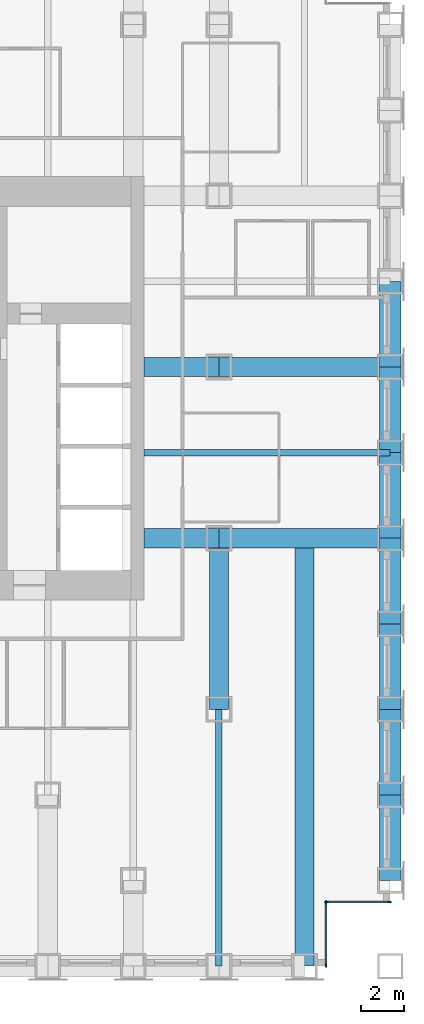
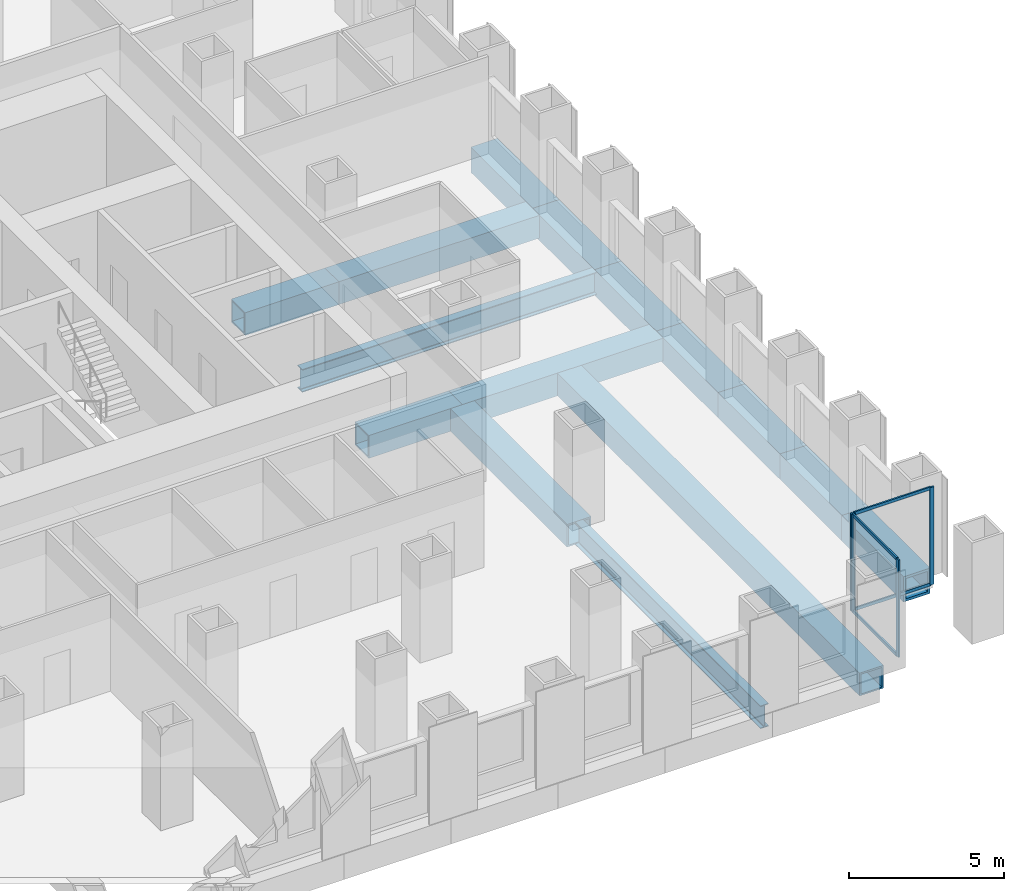
# One storey, part 4 of 14: 15 beams, 8 members, 2 elements without a shape of their own.
"""IFC4 building model written with IfcOpenShell, lengths in metres."""

from ifc_helpers import new_model, si_unit, direction, frame, origin, origin_2d, place, context, subcontext, project, spatial, rectangle, hollow_rectangle, i_section, extrude, material, material_profile, profile_set, type_object, element, aggregate, save


model = new_model("IFC4")

# Units and contexts
model_context = context("Model", 3, precision=1e-05, world=origin(), true_north=direction((0.0, 1.0)))
body_context = subcontext(model_context, "Body", "Model", "MODEL_VIEW")
ifc_project = project(units=[si_unit("LENGTHUNIT", "METRE"), si_unit("AREAUNIT", "SQUARE_METRE"), si_unit("VOLUMEUNIT", "CUBIC_METRE"), si_unit("PLANEANGLEUNIT", "RADIAN"), si_unit("MASSUNIT", "GRAM", prefix="KILO")], contexts=[model_context])

# Site, building, storey
site_placement = place(None, origin())
site = spatial("IfcSite", under=ifc_project, at=site_placement, CompositionType="ELEMENT")
building_placement = place(site_placement, origin())
building = spatial("IfcBuilding", under=site, at=building_placement, Name="Rimbunsela Tower", CompositionType="ELEMENT")
storey_placement = place(building_placement, frame((0.0, 0.0, 55.0)))
storey = spatial("IfcBuildingStorey", under=building, at=storey_placement, Name="L13", CompositionType="ELEMENT", Elevation=55.0)

# Beams
ifc_material_1 = material(Name="Steel BJ 55 (fy 410 MPa)", Category="steel")
ifc_material_profile_1 = material_profile(ifc_material_1, hollow_rectangle(XDim=1.0, YDim=1.0, WallThickness=0.10009765625, at=origin_2d()), Name="BOX 1000x1000x100")
ifc_profile_set_1 = profile_set([ifc_material_profile_1], Name="Steel BJ 55 (fy 410 MPa)")
beam_type_1 = type_object("IfcBeamType", Name="Beam BOX 1000x1000x100", PredefinedType="BEAM", material=ifc_profile_set_1)
for number, where, z_axis, x_axis, name in (
    (1, (54.0, 4.0, -0.64990234375), (0.0, 1.0, 0.0), (-1.0, 0.0, 0.0), "Beam B3 L13"),
    (2, (54.0, 8.0, -0.64990234375), (0.0, 1.0, 0.0), (-1.0, 0.0, 0.0), "Beam B3 L13"),
    (3, (54.0, 12.0, -0.64990234375), (0.0, 1.0, 0.0), (-1.0, 0.0, 0.0), "Beam B3 L13"),
    (4, (54.0, 16.0, -0.64990234375), (0.0, 1.0, 0.0), (-1.0, 0.0, 0.0), "Beam B3 L13"),
    (5, (54.0, 20.0, -0.64990234375), (0.0, 1.0, 0.0), (-1.0, 0.0, 0.0), "Beam B3 L13"),
    (6, (54.0, 24.0, -0.64990234375), (0.0, 1.0, 0.0), (-1.0, 0.0, 0.0), "Beam B3 L13"),
    (7, (54.0, 28.0, -0.64990234375), (0.0, 1.0, 0.0), (-1.0, 0.0, 0.0), "Beam B3 L13"),
):
    element("IfcBeam", number, at=place(storey_placement, frame(where, z_axis=z_axis, x_axis=x_axis)), inside=storey, type_object=beam_type_1, Name=name, PredefinedType="BEAM", context=body_context, shape_type="SweptSolid", body=[
        extrude(hollow_rectangle(XDim=1.0, YDim=1.0, WallThickness=0.10009765625, at=origin_2d()), origin(), (0.0, 0.0, 1.0), 4.0),
    ])
ifc_material_2 = material(Name="Steel BJ 55 (fy 410 MPa)", Category="steel")
ifc_material_profile_2 = material_profile(ifc_material_2, hollow_rectangle(XDim=0.89990234375, YDim=0.89990234375, WallThickness=0.06005859375, at=origin_2d()), Name="BOX 900x900x60")
ifc_profile_set_2 = profile_set([ifc_material_profile_2], Name="Steel BJ 55 (fy 410 MPa)")
beam_type_2 = type_object("IfcBeamType", Name="Beam BOX 900x900x60", PredefinedType="BEAM", material=ifc_profile_set_2)
for number, where, z_axis, x_axis, name in (
    (8, (42.5, 20.0, -0.60009765625), (1.0, 0.0, 0.0), (0.0, 1.0, 0.0), "Beam B1 L13"),
    (9, (42.5, 28.0, -0.60009765625), (1.0, 0.0, 0.0), (0.0, 1.0, 0.0), "Beam B1 L13"),
):
    element("IfcBeam", number, at=place(storey_placement, frame(where, z_axis=z_axis, x_axis=x_axis)), inside=storey, type_object=beam_type_2, Name=name, PredefinedType="BEAM", context=body_context, shape_type="SweptSolid", body=[
        extrude(hollow_rectangle(XDim=0.89990234375, YDim=0.89990234375, WallThickness=0.06005859375, at=origin_2d()), origin(), (0.0, 0.0, 1.0), 3.5),
    ])
for number, where, z_axis, x_axis, name in (
    (10, (46.0, 12.0, -0.60009765625), (0.0, 1.0, 0.0), (-1.0, 0.0, 0.0), "Beam B1 L13"),
    (11, (46.0, 20.0, -0.60009765625), (1.0, 0.0, 0.0), (0.0, 1.0, 0.0), "Beam B1 L13"),
    (12, (46.0, 28.0, -0.60009765625), (1.0, 0.0, 0.0), (0.0, 1.0, 0.0), "Beam B1 L13"),
):
    element("IfcBeam", number, at=place(storey_placement, frame(where, z_axis=z_axis, x_axis=x_axis)), inside=storey, type_object=beam_type_2, Name=name, PredefinedType="BEAM", context=body_context, shape_type="SweptSolid", body=[
        extrude(hollow_rectangle(XDim=0.89990234375, YDim=0.89990234375, WallThickness=0.06005859375, at=origin_2d()), origin(), (0.0, 0.0, 1.0), 8.0),
    ])
beam_1_placement = place(storey_placement, frame((50.0, 0.0, -0.60009765625), z_axis=(0.0, 1.0, 0.0), x_axis=(-1.0, 0.0, 0.0)))
element("IfcBeam", 13, at=beam_1_placement, inside=storey, type_object=beam_type_2, Name="Beam B1 L13", PredefinedType="BEAM", context=body_context, shape_type="SweptSolid", body=[
    extrude(hollow_rectangle(XDim=0.89990234375, YDim=0.89990234375, WallThickness=0.06005859375, at=origin_2d()), origin(), (0.0, 0.0, 1.0), 19.550048828125),
])
ifc_material_3 = material(Name="Steel BJ 55 (fy 410 MPa)", Category="steel")
ifc_material_profile_3 = material_profile(ifc_material_3, i_section(OverallWidth=0.300048828125, OverallDepth=0.89990234375, WebThickness=0.01611328125, FlangeThickness=0.028076171875, FilletRadius=0.028076171875, at=origin_2d()), Name="H 900x300x16x28")
ifc_profile_set_3 = profile_set([ifc_material_profile_3], Name="Steel BJ 55 (fy 410 MPa)")
beam_type_3 = type_object("IfcBeamType", Name="Beam H 900x300x16x28", PredefinedType="BEAM", material=ifc_profile_set_3)
beam_2_placement = place(storey_placement, frame((42.5, 24.0, -0.60009765625), z_axis=(1.0, 0.0, 0.0), x_axis=(0.0, 1.0, 0.0)))
element("IfcBeam", 14, at=beam_2_placement, inside=storey, type_object=beam_type_3, Name="Beam B2 L13", PredefinedType="BEAM", context=body_context, shape_type="SweptSolid", body=[
    extrude(i_section(OverallWidth=0.300048828125, OverallDepth=0.89990234375, WebThickness=0.01611328125, FlangeThickness=0.028076171875, FilletRadius=0.028076171875, at=origin_2d()), origin(), (0.0, 0.0, 1.0), 11.5),
])
beam_3_placement = place(storey_placement, frame((46.0, 0.0, -0.60009765625), z_axis=(0.0, 1.0, 0.0), x_axis=(-1.0, 0.0, 0.0)))
element("IfcBeam", 15, at=beam_3_placement, inside=storey, type_object=beam_type_3, Name="Beam B2 L13", PredefinedType="BEAM", context=body_context, shape_type="SweptSolid", body=[
    extrude(i_section(OverallWidth=0.300048828125, OverallDepth=0.89990234375, WebThickness=0.01611328125, FlangeThickness=0.028076171875, FilletRadius=0.028076171875, at=origin_2d()), origin(), (0.0, 0.0, 1.0), 12.0),
])

# Curtain wall, members
ifc_material_4 = material(Name="Aluminium curtain wall", Category="aluminium")
curtain_wall_type = type_object("IfcCurtainWallType", Name="Corner glazing", PredefinedType="USERDEFINED", material=ifc_material_4)
curtain_wall_1_placement = place(storey_placement, origin())
curtain_wall_1 = element("IfcCurtainWall", 16, at=curtain_wall_1_placement, inside=storey, type_object=curtain_wall_type, Name="Corner glazing L13", ObjectType="CORNER GLAZING", PredefinedType="USERDEFINED")
ifc_material_5 = material(Name="Aluminium mullion", Category="aluminium")
ifc_material_profile_4 = material_profile(ifc_material_5, rectangle(XDim=0.06005859375, YDim=0.159912109375, at=origin_2d()), Name="Mullion 60x160")
ifc_profile_set_4 = profile_set([ifc_material_profile_4], Name="Aluminium mullion")
member_type_1 = type_object("IfcMemberType", Name="Curtain wall mullion 60x160", PredefinedType="MULLION", material=ifc_profile_set_4)
member_1_placement = place(storey_placement, frame((51.0, 0.030029296875, 0.0), z_axis=(0.0, 0.0, 1.0), x_axis=(-1.0, 0.0, 0.0)))
member_1 = element("IfcMember", 17, at=member_1_placement, type_object=member_type_1, Name="CW5 mullion 1", PredefinedType="MULLION", context=body_context, shape_type="SweptSolid", body=[
    extrude(rectangle(XDim=0.06005859375, YDim=0.159912109375, at=origin_2d()), origin(), (0.0, 0.0, 1.0), 3.85009765625),
])
member_2_placement = place(storey_placement, frame((51.0, 2.969970703125, 0.0), z_axis=(0.0, 0.0, 1.0), x_axis=(-1.0, 0.0, 0.0)))
member_2 = element("IfcMember", 18, at=member_2_placement, type_object=member_type_1, Name="CW5 mullion 2", PredefinedType="MULLION", context=body_context, shape_type="SweptSolid", body=[
    extrude(rectangle(XDim=0.06005859375, YDim=0.159912109375, at=origin_2d()), origin(), (0.0, 0.0, 1.0), 3.85009765625),
])

curtain_wall_2_placement = place(storey_placement, origin())
curtain_wall_2 = element("IfcCurtainWall", 19, at=curtain_wall_2_placement, inside=storey, type_object=curtain_wall_type, Name="Corner glazing L13", ObjectType="CORNER GLAZING", PredefinedType="USERDEFINED")
member_3_placement = place(storey_placement, frame((51.030029296875, 3.0, 0.0), z_axis=(0.0, 0.0, 1.0), x_axis=(0.0, 1.0, 0.0)))
member_3 = element("IfcMember", 20, at=member_3_placement, type_object=member_type_1, Name="CW5 mullion 1", PredefinedType="MULLION", context=body_context, shape_type="SweptSolid", body=[
    extrude(rectangle(XDim=0.06005859375, YDim=0.159912109375, at=origin_2d()), origin(), (0.0, 0.0, 1.0), 3.85009765625),
])
member_4_placement = place(storey_placement, frame((53.969970703125, 3.0, 0.0), z_axis=(0.0, 0.0, 1.0), x_axis=(0.0, 1.0, 0.0)))
member_4 = element("IfcMember", 21, at=member_4_placement, type_object=member_type_1, Name="CW5 mullion 2", PredefinedType="MULLION", context=body_context, shape_type="SweptSolid", body=[
    extrude(rectangle(XDim=0.06005859375, YDim=0.159912109375, at=origin_2d()), origin(), (0.0, 0.0, 1.0), 3.85009765625),
])

# Member
ifc_material_6 = material(Name="Aluminium transom", Category="aluminium")
ifc_material_profile_5 = material_profile(ifc_material_6, rectangle(XDim=0.06005859375, YDim=0.1201171875, at=origin_2d()), Name="Transom 60x120")
ifc_profile_set_5 = profile_set([ifc_material_profile_5], Name="Aluminium transom")
member_type_2 = type_object("IfcMemberType", Name="Curtain wall transom 60x120", PredefinedType="USERDEFINED", material=ifc_profile_set_5)
member_5_placement = place(storey_placement, frame((51.0, 0.06005859375, 0.030029296875), z_axis=(0.0, 1.0, 0.0), x_axis=(-1.0, 0.0, 0.0)))
member_5 = element("IfcMember", 22, at=member_5_placement, type_object=member_type_2, Name="CW5 transom 1.1", ObjectType="TRANSOM", PredefinedType="USERDEFINED", context=body_context, shape_type="SweptSolid", body=[
    extrude(rectangle(XDim=0.06005859375, YDim=0.1201171875, at=origin_2d()), origin(), (0.0, 0.0, 1.0), 2.8798828125),
])

member_6_placement = place(storey_placement, frame((51.0, 0.06005859375, 3.820068359375), z_axis=(0.0, 1.0, 0.0), x_axis=(-1.0, 0.0, 0.0)))
member_6 = element("IfcMember", 23, at=member_6_placement, type_object=member_type_2, Name="CW5 transom 1.2", ObjectType="TRANSOM", PredefinedType="USERDEFINED", context=body_context, shape_type="SweptSolid", body=[
    extrude(rectangle(XDim=0.06005859375, YDim=0.1201171875, at=origin_2d()), origin(), (0.0, 0.0, 1.0), 2.8798828125),
])

aggregate(curtain_wall_1, [member_1, member_2, member_5, member_6])

member_7_placement = place(storey_placement, frame((51.06005859375, 3.0, 0.030029296875), z_axis=(1.0, 0.0, 0.0), x_axis=(0.0, 1.0, 0.0)))
member_7 = element("IfcMember", 24, at=member_7_placement, type_object=member_type_2, Name="CW5 transom 1.1", ObjectType="TRANSOM", PredefinedType="USERDEFINED", context=body_context, shape_type="SweptSolid", body=[
    extrude(rectangle(XDim=0.06005859375, YDim=0.1201171875, at=origin_2d()), origin(), (0.0, 0.0, 1.0), 2.8798828125),
])

member_8_placement = place(storey_placement, frame((51.06005859375, 3.0, 3.820068359375), z_axis=(1.0, 0.0, 0.0), x_axis=(0.0, 1.0, 0.0)))
member_8 = element("IfcMember", 25, at=member_8_placement, type_object=member_type_2, Name="CW5 transom 1.2", ObjectType="TRANSOM", PredefinedType="USERDEFINED", context=body_context, shape_type="SweptSolid", body=[
    extrude(rectangle(XDim=0.06005859375, YDim=0.1201171875, at=origin_2d()), origin(), (0.0, 0.0, 1.0), 2.8798828125),
])

aggregate(curtain_wall_2, [member_3, member_4, member_7, member_8])

save(model, "model.ifc")
